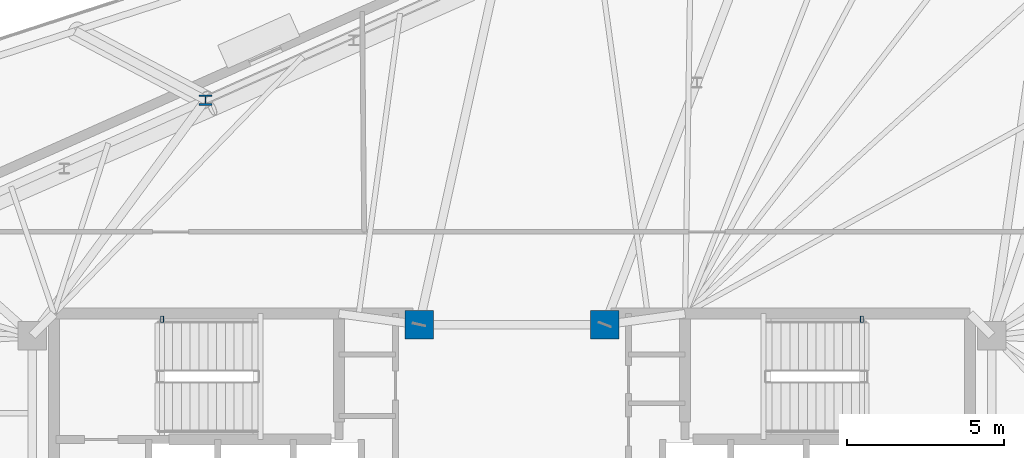
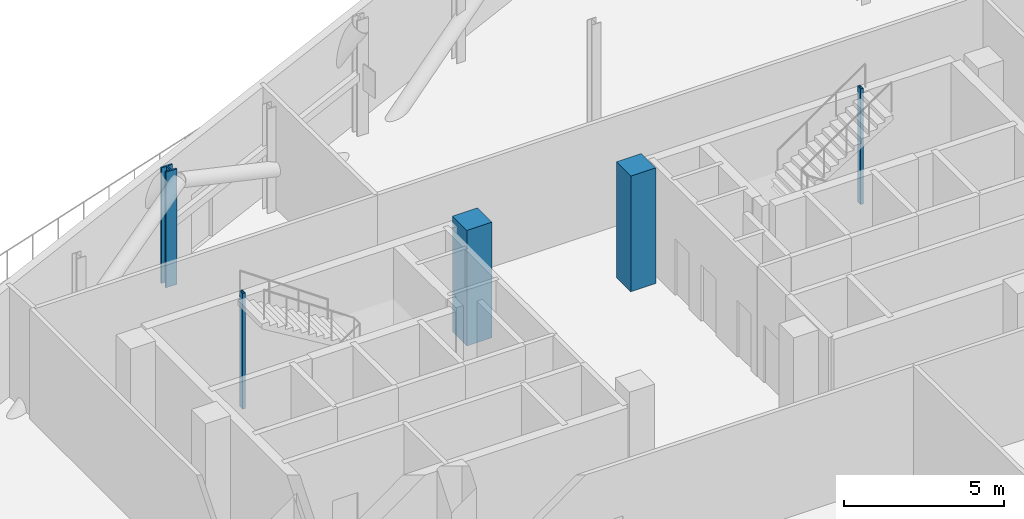
# One storey, part 2 of 15: 5 columns.
"""IFC4 building model written with IfcOpenShell, lengths in metres."""

from ifc_helpers import new_model, si_unit, direction, frame, origin, origin_2d, place, context, subcontext, project, spatial, rectangle, hollow_rectangle, i_section, extrude, material, material_profile, profile_set, type_object, element, save


model = new_model("IFC4")

# Units and contexts
model_context = context("Model", 3, precision=1e-05, world=origin(), true_north=direction((0.0, 1.0)))
body_context = subcontext(model_context, "Body", "Model", "MODEL_VIEW")
ifc_project = project(units=[si_unit("LENGTHUNIT", "METRE"), si_unit("AREAUNIT", "SQUARE_METRE"), si_unit("VOLUMEUNIT", "CUBIC_METRE"), si_unit("PLANEANGLEUNIT", "RADIAN"), si_unit("MASSUNIT", "GRAM", prefix="KILO")], contexts=[model_context])

# Site, building, storey
site_placement = place(None, origin())
site = spatial("IfcSite", under=ifc_project, at=site_placement, CompositionType="ELEMENT")
building_placement = place(site_placement, origin())
building = spatial("IfcBuilding", under=site, at=building_placement, Name="Menara Jurai Vektor", CompositionType="ELEMENT")
storey_placement = place(building_placement, frame((0.0, 0.0, 254.449951171875)))
storey = spatial("IfcBuildingStorey", under=building, at=storey_placement, Name="L68", CompositionType="ELEMENT", Elevation=254.449951171875)

# Columns
ifc_material_1 = material(Name="Concrete C50/60", Category="concrete")
ifc_material_profile_1 = material_profile(ifc_material_1, rectangle(XDim=0.89990234375, YDim=0.89990234375, at=origin_2d()), Name="RC 900x900")
ifc_profile_set_1 = profile_set([ifc_material_profile_1], Name="Concrete C50/60")
column_type_1 = type_object("IfcColumnType", Name="STR-COL-RC900", PredefinedType="COLUMN", material=ifc_profile_set_1)
for number, where, z_axis, x_axis, name in (
    (1, (-2.949951171875, 5.25, 0.0), (0.0, 0.0, 1.0), (1.0, 0.0, 0.0), "Core Spine Column CW-NE L68"),
    (2, (2.949951171875, 5.25, 0.0), (0.0, 0.0, 1.0), (1.0, 0.0, 0.0), "Core Spine Column CE-NW L68"),
):
    element("IfcColumn", number, at=place(storey_placement, frame(where, z_axis=z_axis, x_axis=x_axis)), inside=storey, type_object=column_type_1, Name=name, PredefinedType="COLUMN", context=body_context, shape_type="SweptSolid", body=[
        extrude(rectangle(XDim=0.89990234375, YDim=0.89990234375, at=origin_2d()), origin(), (0.0, 0.0, 1.0), 4.400146484375),
    ])
ifc_material_2 = material(Name="Steel S355", Category="steel")
ifc_material_profile_2 = material_profile(ifc_material_2, hollow_rectangle(XDim=0.10009765625, YDim=0.199951171875, WallThickness=0.008056640625, at=origin_2d()), Name="RHS 200x100x8")
ifc_profile_set_2 = profile_set([ifc_material_profile_2], Name="Steel S355")
column_type_2 = type_object("IfcColumnType", Name="STR-COL-STAIR", PredefinedType="COLUMN", material=ifc_profile_set_2)
for number, where, z_axis, x_axis, name in (
    (3, (-11.1201171875, 5.419921875, 0.0), (0.0, 0.0, 1.0), (1.0, 0.0, 0.0), "Stair Well Header Column ST1-P2 L68"),
    (4, (11.1201171875, 5.419921875, 0.0), (0.0, 0.0, 1.0), (1.0, 0.0, 0.0), "Stair Well Header Column ST2-P2 L68"),
):
    element("IfcColumn", number, at=place(storey_placement, frame(where, z_axis=z_axis, x_axis=x_axis)), inside=storey, type_object=column_type_2, Name=name, PredefinedType="COLUMN", context=body_context, shape_type="SweptSolid", body=[
        extrude(hollow_rectangle(XDim=0.10009765625, YDim=0.199951171875, WallThickness=0.008056640625, at=origin_2d()), origin(), (0.0, 0.0, 1.0), 4.400146484375),
    ])
ifc_material_3 = material(Name="Steel S460", Category="steel")
ifc_material_profile_3 = material_profile(ifc_material_3, i_section(OverallWidth=0.40087890625, OverallDepth=0.3349609375, WebThickness=0.035888671875, FlangeThickness=0.05810546875, FilletRadius=0.014892578125, at=origin_2d()), Name="HD 400x463")
ifc_profile_set_3 = profile_set([ifc_material_profile_3], Name="Steel S460")
column_type_3 = type_object("IfcColumnType", Name="STR-EXO-BLK5", PredefinedType="COLUMN", material=ifc_profile_set_3)
column_placement = place(storey_placement, frame((-9.740966796875, 12.390380859375, 0.0), z_axis=(0.0, 0.0, 1.0), x_axis=(1.0, 0.0, 0.0)))
element("IfcColumn", 5, at=column_placement, inside=storey, type_object=column_type_3, Name="Exoskeleton Column BLK5-N4 L68", PredefinedType="COLUMN", context=body_context, shape_type="SweptSolid", body=[
    extrude(i_section(OverallWidth=0.40087890625, OverallDepth=0.3349609375, WebThickness=0.035888671875, FlangeThickness=0.05810546875, FilletRadius=0.014892578125, at=origin_2d()), origin(), (0.0, 0.0, 1.0), 4.400146484375),
])

save(model, "model.ifc")
